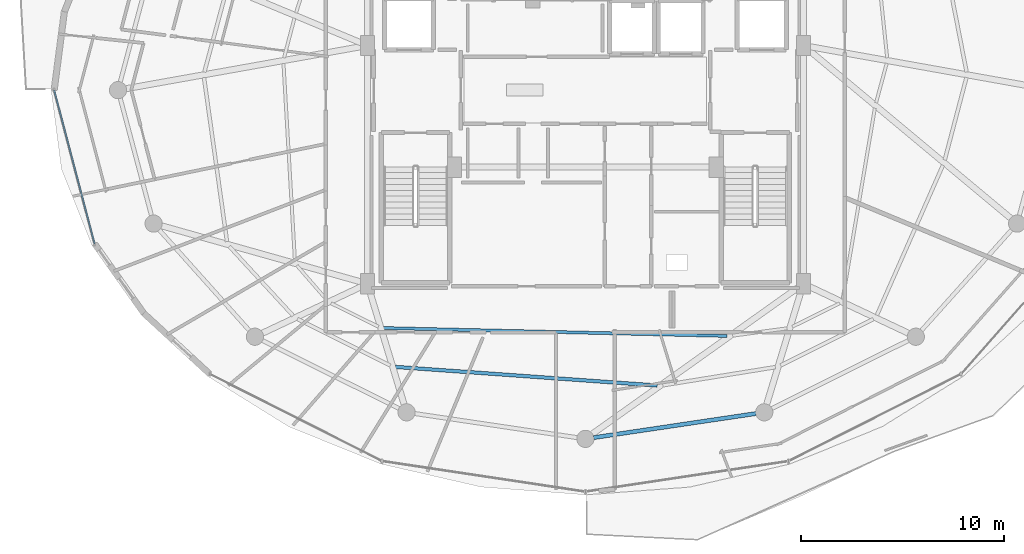
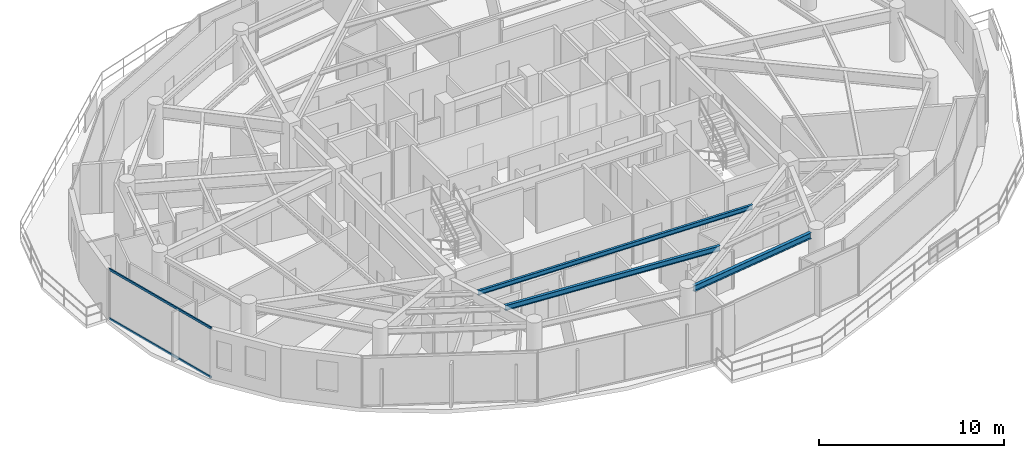
# One storey, part 5 of 30: 3 beams, 2 members, 1 element without a shape of its own.
"""IFC4 building model written with IfcOpenShell, lengths in metres."""

from ifc_helpers import new_model, si_unit, direction, frame, origin, origin_2d, place, context, subcontext, project, spatial, hollow_rectangle, i_section, extrude, material, material_profile, profile_set, type_object, element, aggregate, save


model = new_model("IFC4")

# Units and contexts
model_context = context("Model", 3, precision=1e-05, world=origin(), true_north=direction((0.0, 1.0)))
body_context = subcontext(model_context, "Body", "Model", "MODEL_VIEW")
ifc_project = project(units=[si_unit("LENGTHUNIT", "METRE"), si_unit("AREAUNIT", "SQUARE_METRE"), si_unit("VOLUMEUNIT", "CUBIC_METRE"), si_unit("PLANEANGLEUNIT", "RADIAN"), si_unit("MASSUNIT", "GRAM", prefix="KILO")], contexts=[model_context])

# Site, building, storey
site_placement = place(None, origin())
site = spatial("IfcSite", under=ifc_project, at=site_placement, CompositionType="ELEMENT")
building_placement = place(site_placement, origin())
building = spatial("IfcBuilding", under=site, at=building_placement, Name="Vorneva Point Tower", CompositionType="ELEMENT")
storey_placement = place(building_placement, frame((0.0, 0.0, 237.800048828125)))
storey = spatial("IfcBuildingStorey", under=building, at=storey_placement, Name="L64", CompositionType="ELEMENT", Elevation=237.800048828125)

# Beams
ifc_material_1 = material(Name="Steel S355", Category="steel")
ifc_material_profile_1 = material_profile(ifc_material_1, i_section(OverallWidth=0.14892578125, OverallDepth=0.298095703125, WebThickness=0.005615234375, FlangeThickness=0.008056640625, at=origin_2d()), Name="30B1")
ifc_profile_set_1 = profile_set([ifc_material_profile_1], Name="Steel S355")
beam_type_1 = type_object("IfcBeamType", Name="BM-JST-30B1", PredefinedType="JOIST", material=ifc_profile_set_1)
beam_1_placement = place(storey_placement, frame((28.05126953125, 14.266845703125, 3.140869140625), z_axis=(0.999733534919, -0.023083742277, 0.0), x_axis=(0.023083742277, 0.999733534919, 0.0)))
element("IfcBeam", 1, at=beam_1_placement, inside=storey, type_object=beam_type_1, Name="L64 Secondary Floor Beam 2.12", PredefinedType="JOIST", context=body_context, shape_type="SweptSolid", body=[
    extrude(i_section(OverallWidth=0.14892578125, OverallDepth=0.298095703125, WebThickness=0.005615234375, FlangeThickness=0.008056640625, at=origin_2d()), origin(), (0.0, 0.0, 1.0), 16.943115234375),
])
ifc_material_profile_2 = material_profile(ifc_material_1, i_section(OverallWidth=0.174072265625, OverallDepth=0.345947265625, WebThickness=0.006103515625, FlangeThickness=0.009033203125, at=origin_2d()), Name="35B1")
ifc_profile_set_2 = profile_set([ifc_material_profile_2], Name="Steel S355")
beam_type_2 = type_object("IfcBeamType", Name="BM-SEC-35B1", PredefinedType="BEAM", material=ifc_profile_set_2)
beam_2_placement = place(storey_placement, frame((28.63232421875, 12.349365234375, 3.116943359375), z_axis=(0.997472849648, -0.071048674973, 0.0), x_axis=(0.071048674973, 0.997472849648, 0.0)))
element("IfcBeam", 2, at=beam_2_placement, inside=storey, type_object=beam_type_2, Name="L64 Secondary Floor Beam 1.12", PredefinedType="BEAM", context=body_context, shape_type="SweptSolid", body=[
    extrude(i_section(OverallWidth=0.174072265625, OverallDepth=0.345947265625, WebThickness=0.006103515625, FlangeThickness=0.009033203125, at=origin_2d()), origin(), (0.0, 0.0, 1.0), 12.9443359375),
])
ifc_material_profile_3 = material_profile(ifc_material_1, i_section(OverallWidth=0.198974609375, OverallDepth=0.39599609375, WebThickness=0.007080078125, FlangeThickness=0.010986328125, at=origin_2d()), Name="40B1")
ifc_profile_set_3 = profile_set([ifc_material_profile_3], Name="Steel S355")
beam_type_3 = type_object("IfcBeamType", Name="BM-SPN-40B1", PredefinedType="SPANDREL", material=ifc_profile_set_3)
beam_3_placement = place(storey_placement, frame((38.405517578125, 8.860107421875, 3.092041015625), z_axis=(0.989161657331, 0.146830567886, 0.0), x_axis=(-0.146830567886, 0.989161657331, 0.0)))
element("IfcBeam", 3, at=beam_3_placement, inside=storey, type_object=beam_type_3, Name="L64 Perimeter Spandrel Ring Beam 13", PredefinedType="SPANDREL", context=body_context, shape_type="SweptSolid", body=[
    extrude(i_section(OverallWidth=0.198974609375, OverallDepth=0.39599609375, WebThickness=0.007080078125, FlangeThickness=0.010986328125, at=origin_2d()), origin(), (0.0, 0.0, 1.0), 8.097412109375),
])

# Curtain wall, members
ifc_material_2 = material(Name="Pale anodised aluminium", Category="aluminium")
curtain_wall_type = type_object("IfcCurtainWallType", Name="CW-RES-SYS", PredefinedType="NOTDEFINED", material=ifc_material_2)
curtain_wall_placement = place(storey_placement, origin())
curtain_wall = element("IfcCurtainWall", 4, at=curtain_wall_placement, inside=storey, type_object=curtain_wall_type, Name="L64 Unitised Curtain Wall CW-L64-R03", PredefinedType="NOTDEFINED")
ifc_material_profile_4 = material_profile(ifc_material_2, hollow_rectangle(XDim=0.074951171875, YDim=0.14990234375, WallThickness=0.00390625, at=origin_2d()), Name="AL-TRN 150x75x4")
ifc_profile_set_4 = profile_set([ifc_material_profile_4], Name="Pale anodised aluminium")
member_type = type_object("IfcMemberType", Name="CW-TRN-150", PredefinedType="USERDEFINED", material=ifc_profile_set_4)
member_1_placement = place(storey_placement, frame((11.800048828125, 26.0, 0.02001953125), z_axis=(0.254418180926, -0.967094302131, 0.0), x_axis=(0.967094302131, 0.254418180926, 0.0)))
member_1 = element("IfcMember", 5, at=member_1_placement, type_object=member_type, Name="CW-L64-R03 Transom 01.1", ObjectType="TRANSOM", PredefinedType="USERDEFINED", context=body_context, shape_type="SweptSolid", body=[
    extrude(hollow_rectangle(XDim=0.074951171875, YDim=0.14990234375, WallThickness=0.00390625, at=origin_2d()), origin(), (0.0, 0.0, 1.0), 7.839111328125),
])
member_2_placement = place(storey_placement, frame((11.800048828125, 26.0, 3.27001953125), z_axis=(0.254418180926, -0.967094302131, 0.0), x_axis=(0.967094302131, 0.254418180926, 0.0)))
member_2 = element("IfcMember", 6, at=member_2_placement, type_object=member_type, Name="CW-L64-R03 Transom 01.2", ObjectType="TRANSOM", PredefinedType="USERDEFINED", context=body_context, shape_type="SweptSolid", body=[
    extrude(hollow_rectangle(XDim=0.074951171875, YDim=0.14990234375, WallThickness=0.00390625, at=origin_2d()), origin(), (0.0, 0.0, 1.0), 7.839111328125),
])
aggregate(curtain_wall, [member_1, member_2])

save(model, "model.ifc")
